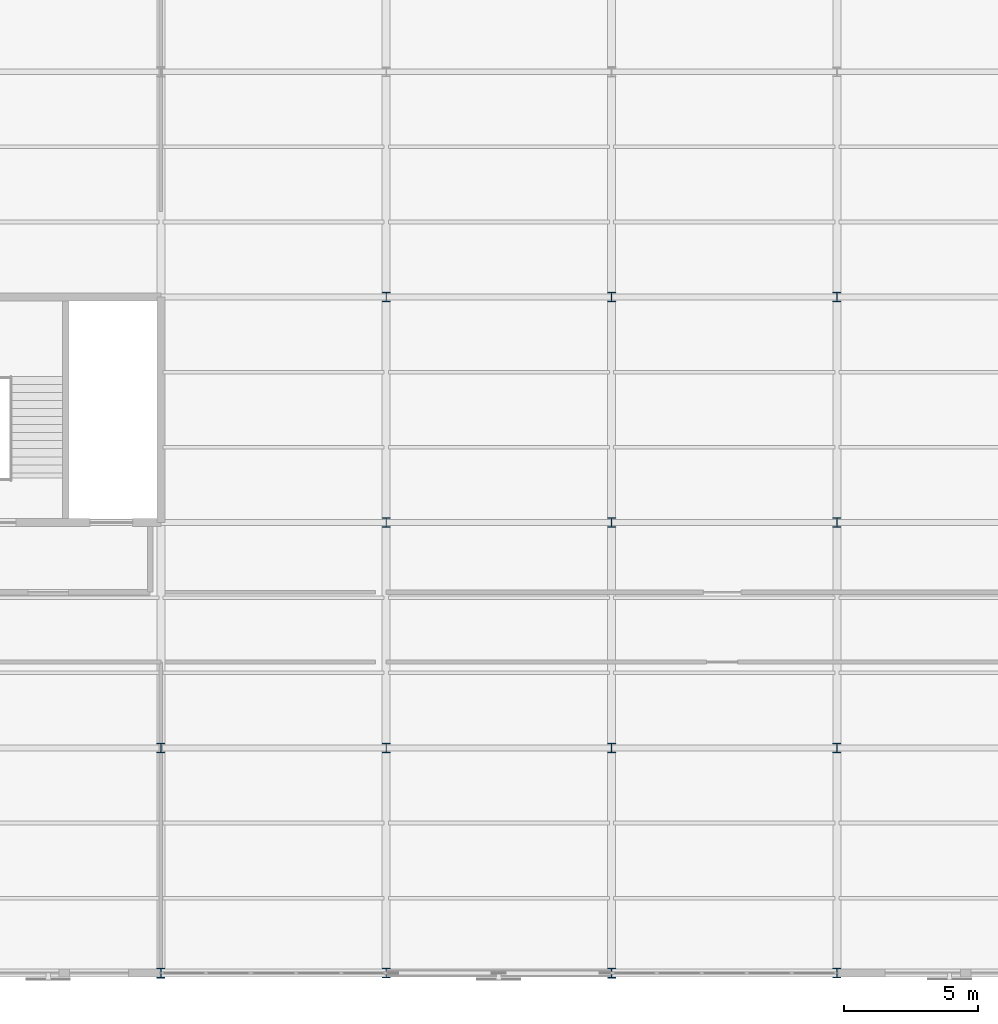
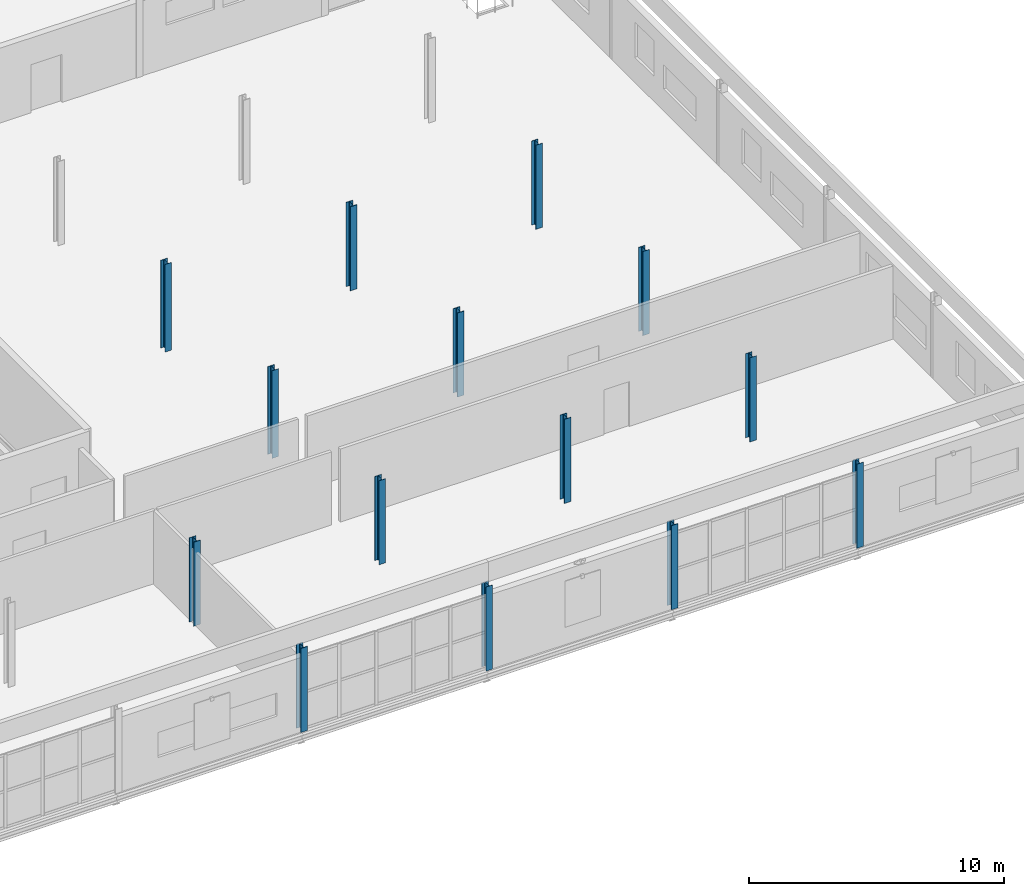
# One storey, part 15 of 184: 14 columns.
"""IFC4 building model written with IfcOpenShell, lengths in metres."""

from ifc_helpers import new_model, si_unit, direction, frame, origin, origin_2d, place, context, subcontext, project, spatial, i_section, extrude, material, material_profile, profile_set, type_object, element, save


model = new_model("IFC4")

# Units and contexts
model_context = context("Model", 3, precision=1e-05, world=origin(), true_north=direction((0.0, 1.0)))
body_context = subcontext(model_context, "Body", "Model", "MODEL_VIEW")
ifc_project = project(units=[si_unit("LENGTHUNIT", "METRE"), si_unit("AREAUNIT", "SQUARE_METRE"), si_unit("VOLUMEUNIT", "CUBIC_METRE"), si_unit("PLANEANGLEUNIT", "RADIAN"), si_unit("MASSUNIT", "GRAM", prefix="KILO")], contexts=[model_context])

# Site, building, storey
site_placement = place(None, origin())
site = spatial("IfcSite", under=ifc_project, at=site_placement, CompositionType="ELEMENT")
building_placement = place(site_placement, origin())
building = spatial("IfcBuilding", under=site, at=building_placement, Name="Qalvenar Corner Mobility Hub", CompositionType="ELEMENT")
storey_placement = place(building_placement, frame((0.0, 0.0, 9.0)))
storey = spatial("IfcBuildingStorey", under=building, at=storey_placement, Name="L02", CompositionType="ELEMENT", Elevation=9.0)

# Columns
ifc_material = material(Name="Steel S355", Category="steel")
ifc_material_profile_1 = material_profile(ifc_material, i_section(OverallWidth=0.300048828125, OverallDepth=0.35009765625, WebThickness=0.010009765625, FlangeThickness=0.017578125, FilletRadius=0.027099609375, at=origin_2d()), Name="HEA360")
ifc_profile_set_1 = profile_set([ifc_material_profile_1], Name="Steel S355")
column_type_1 = type_object("IfcColumnType", Name="COL-HEA360", PredefinedType="COLUMN", material=ifc_profile_set_1)
for number, where, z_axis, x_axis, name in (
    (1, (142.800048828125, 0.0, 0.0), (0.0, 0.0, 1.0), (1.0, 0.0, 0.0), "Steel Column L02-G18-0"),
    (2, (142.800048828125, 8.39990234375, 0.0), (0.0, 0.0, 1.0), (1.0, 0.0, 0.0), "Steel Column L02-G18-1"),
):
    element("IfcColumn", number, at=place(storey_placement, frame(where, z_axis=z_axis, x_axis=x_axis)), inside=storey, type_object=column_type_1, Name=name, PredefinedType="COLUMN", context=body_context, shape_type="SweptSolid", body=[
        extrude(i_section(OverallWidth=0.300048828125, OverallDepth=0.35009765625, WebThickness=0.010009765625, FlangeThickness=0.017578125, FilletRadius=0.027099609375, at=origin_2d()), origin(), (0.0, 0.0, 1.0), 4.030029296875),
    ])
for number, where, z_axis, x_axis, name in (
    (3, (142.800048828125, 16.800048828125, 0.0), (0.0, 0.0, 1.0), (1.0, 0.0, 0.0), "Steel Column L02-G18-2"),
    (4, (142.800048828125, 25.199951171875, 0.0), (0.0, 0.0, 1.0), (1.0, 0.0, 0.0), "Steel Column L02-G18-3"),
):
    element("IfcColumn", number, at=place(storey_placement, frame(where, z_axis=z_axis, x_axis=x_axis)), inside=storey, type_object=column_type_1, Name=name, PredefinedType="COLUMN", context=body_context, shape_type="SweptSolid", body=[
        extrude(i_section(OverallWidth=0.300048828125, OverallDepth=0.35009765625, WebThickness=0.010009765625, FlangeThickness=0.017578125, FilletRadius=0.027099609375, at=origin_2d()), origin(), (0.0, 0.0, 1.0), 4.199951171875),
    ])
for number, where, z_axis, x_axis, name in (
    (5, (159.60009765625, 0.0, 0.0), (0.0, 0.0, 1.0), (1.0, 0.0, 0.0), "Steel Column L02-G20-0"),
    (6, (159.60009765625, 8.39990234375, 0.0), (0.0, 0.0, 1.0), (1.0, 0.0, 0.0), "Steel Column L02-G20-1"),
    (7, (159.60009765625, 16.800048828125, 0.0), (0.0, 0.0, 1.0), (1.0, 0.0, 0.0), "Steel Column L02-G20-2"),
    (8, (159.60009765625, 25.199951171875, 0.0), (0.0, 0.0, 1.0), (1.0, 0.0, 0.0), "Steel Column L02-G20-3"),
):
    element("IfcColumn", number, at=place(storey_placement, frame(where, z_axis=z_axis, x_axis=x_axis)), inside=storey, type_object=column_type_1, Name=name, PredefinedType="COLUMN", context=body_context, shape_type="SweptSolid", body=[
        extrude(i_section(OverallWidth=0.300048828125, OverallDepth=0.35009765625, WebThickness=0.010009765625, FlangeThickness=0.017578125, FilletRadius=0.027099609375, at=origin_2d()), origin(), (0.0, 0.0, 1.0), 4.030029296875),
    ])
ifc_material_profile_2 = material_profile(ifc_material, i_section(OverallWidth=0.300048828125, OverallDepth=0.360107421875, WebThickness=0.012451171875, FlangeThickness=0.0224609375, FilletRadius=0.027099609375, at=origin_2d()), Name="HEB360")
ifc_profile_set_2 = profile_set([ifc_material_profile_2], Name="Steel S355")
column_type_2 = type_object("IfcColumnType", Name="COL-HEB360", PredefinedType="COLUMN", material=ifc_profile_set_2)
for number, where, z_axis, x_axis, name in (
    (9, (134.39990234375, 0.0, 0.0), (0.0, 0.0, 1.0), (1.0, 0.0, 0.0), "Steel Column L02-G17-0"),
    (10, (134.39990234375, 8.39990234375, 0.0), (0.0, 0.0, 1.0), (1.0, 0.0, 0.0), "Steel Column L02-G17-1"),
    (11, (151.199951171875, 0.0, 0.0), (0.0, 0.0, 1.0), (1.0, 0.0, 0.0), "Steel Column L02-G19-0"),
    (12, (151.199951171875, 8.39990234375, 0.0), (0.0, 0.0, 1.0), (1.0, 0.0, 0.0), "Steel Column L02-G19-1"),
    (13, (151.199951171875, 16.800048828125, 0.0), (0.0, 0.0, 1.0), (1.0, 0.0, 0.0), "Steel Column L02-G19-2"),
    (14, (151.199951171875, 25.199951171875, 0.0), (0.0, 0.0, 1.0), (1.0, 0.0, 0.0), "Steel Column L02-G19-3"),
):
    element("IfcColumn", number, at=place(storey_placement, frame(where, z_axis=z_axis, x_axis=x_axis)), inside=storey, type_object=column_type_2, Name=name, PredefinedType="COLUMN", context=body_context, shape_type="SweptSolid", body=[
        extrude(i_section(OverallWidth=0.300048828125, OverallDepth=0.360107421875, WebThickness=0.012451171875, FlangeThickness=0.0224609375, FilletRadius=0.027099609375, at=origin_2d()), origin(), (0.0, 0.0, 1.0), 4.030029296875),
    ])

save(model, "model.ifc")
